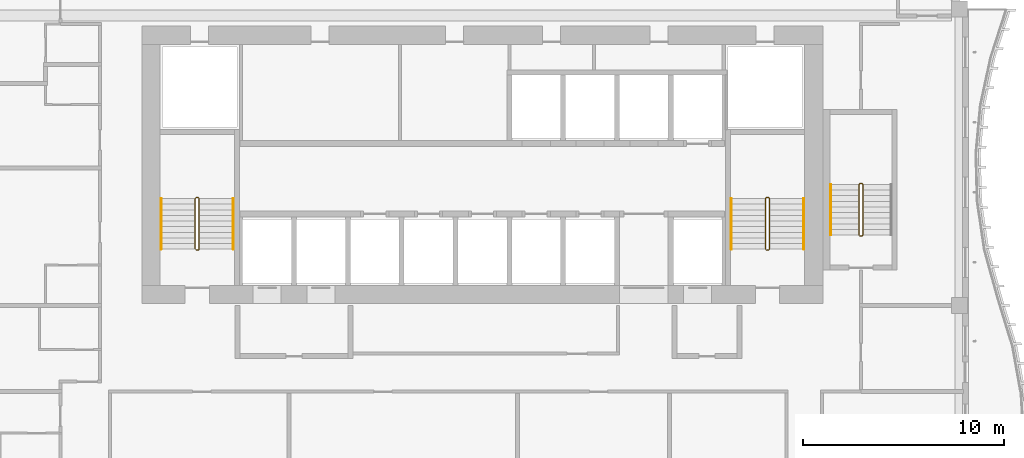
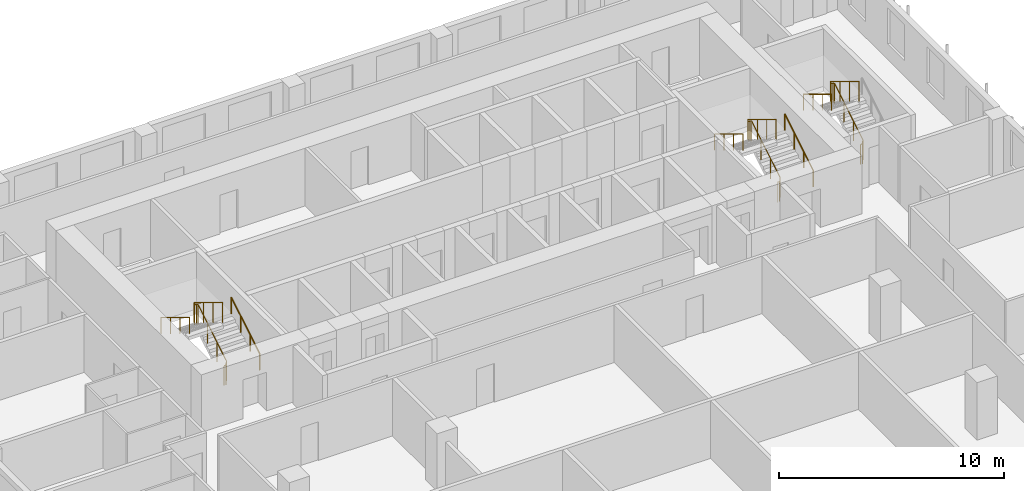
# One storey, part 22 of 23: 8 railings.
"""IFC4 building model written with IfcOpenShell, lengths in metres."""

from ifc_helpers import new_model, si_unit, direction, frame, origin, origin_2d, place, context, subcontext, project, spatial, circle, extrude, material, type_object, element, save


model = new_model("IFC4")

# Units and contexts
model_context = context("Model", 3, precision=1e-05, world=origin(), true_north=direction((0.0, 1.0)))
body_context = subcontext(model_context, "Body", "Model", "MODEL_VIEW")
ifc_project = project(units=[si_unit("LENGTHUNIT", "METRE"), si_unit("AREAUNIT", "SQUARE_METRE"), si_unit("VOLUMEUNIT", "CUBIC_METRE"), si_unit("PLANEANGLEUNIT", "RADIAN"), si_unit("MASSUNIT", "GRAM", prefix="KILO")], contexts=[model_context])

# Site, building, storey
site_placement = place(None, origin())
site = spatial("IfcSite", under=ifc_project, at=site_placement, CompositionType="ELEMENT")
building_placement = place(site_placement, origin())
building = spatial("IfcBuilding", under=site, at=building_placement, Name="Kilnfold Tower and Market Hall", CompositionType="ELEMENT")
storey_placement = place(building_placement, frame((0.0, 0.0, 178.699951171875)))
storey = spatial("IfcBuildingStorey", under=building, at=storey_placement, Name="L42", CompositionType="ELEMENT", Elevation=178.699951171875)

# Railings
ifc_material_1 = material(Name="Stainless steel 316", Category="steel")
railing_type_1 = type_object("IfcRailingType", Name="CORE STAIR GUARD 1100", PredefinedType="GUARDRAIL", material=ifc_material_1)
railing_1_placement = place(storey_placement, frame((-13.199951171875, 10.75, 0.0)))
element("IfcRailing", 1, at=railing_1_placement, inside=storey, type_object=railing_type_1, Name="L42 ST1 stair guard 1", PredefinedType="GUARDRAIL", context=body_context, shape_type="SweptSolid", body=[
    extrude(circle(Radius=0.02392578125, at=origin_2d()), frame((0.0, 0.0, 1.076171875), z_axis=(1.0, 0.0, 0.0), x_axis=(0.0, 1.0, 0.0)), (0.0, 0.0, 1.0), 0.099853515625),
    extrude(circle(Radius=0.02392578125, at=origin_2d()), frame((0.099853515625, 0.0, 1.076171875), z_axis=(0.271562723297, 0.271562723297, 0.923313259209), x_axis=(-0.707106781187, 0.707106781187, 0.0)), (0.0, 0.0, 1.0), 0.184326171875),
    extrude(circle(Radius=0.02392578125, at=origin_2d()), frame((0.14990234375, 0.050048828125, 1.24609375), z_axis=(0.0, 0.854821627497, 0.518921945155), x_axis=(-1.0, 0.0, 0.0)), (0.0, 0.0, 1.0), 2.947998046875),
    extrude(circle(Radius=0.02392578125, at=origin_2d()), frame((0.14990234375, 2.570068359375, 2.77587890625), z_axis=(-0.707106781187, 0.707106781187, 0.0), x_axis=(-0.707106781187, -0.707106781187, 0.0)), (0.0, 0.0, 1.0), 0.07080078125),
    extrude(circle(Radius=0.02392578125, at=origin_2d()), frame((0.099853515625, 2.6201171875, 2.77587890625), z_axis=(-1.0, 0.0, 0.0), x_axis=(0.0, -1.0, 0.0)), (0.0, 0.0, 1.0), 0.099853515625),
    extrude(circle(Radius=0.02392578125, at=origin_2d()), frame((0.0, 2.6201171875, 2.77587890625), z_axis=(-0.271562723297, -0.271562723297, 0.923313259209), x_axis=(0.707106781187, -0.707106781187, 0.0)), (0.0, 0.0, 1.0), 0.184326171875),
    extrude(circle(Radius=0.02392578125, at=origin_2d()), frame((-0.050048828125, 2.570068359375, 2.9462890625), z_axis=(0.0, -0.85478489116, 0.518982456201), x_axis=(1.0, 0.0, 0.0)), (0.0, 0.0, 1.0), 2.9482421875),
    extrude(circle(Radius=0.02099609375, at=origin_2d()), origin(), (0.0, 0.0, 1.0), 1.052001953125),
    extrude(circle(Radius=0.02099609375, at=origin_2d()), frame((0.099853515625, 0.0, 0.0)), (0.0, 0.0, 1.0), 1.052001953125),
    extrude(circle(Radius=0.02099609375, at=origin_2d()), frame((0.14990234375, 0.050048828125, 0.170166015625)), (0.0, 0.0, 1.0), 1.052001953125),
    extrude(circle(Radius=0.02099609375, at=origin_2d()), frame((0.14990234375, 0.89013671875, 0.68017578125)), (0.0, 0.0, 1.0), 1.052001953125),
    extrude(circle(Radius=0.02099609375, at=origin_2d()), frame((0.14990234375, 1.72998046875, 1.18994140625)), (0.0, 0.0, 1.0), 1.052001953125),
    extrude(circle(Radius=0.02099609375, at=origin_2d()), frame((0.14990234375, 2.570068359375, 1.699951171875)), (0.0, 0.0, 1.0), 1.052001953125),
    extrude(circle(Radius=0.02099609375, at=origin_2d()), frame((0.099853515625, 2.6201171875, 1.699951171875)), (0.0, 0.0, 1.0), 1.052001953125),
    extrude(circle(Radius=0.02099609375, at=origin_2d()), frame((0.0, 2.6201171875, 1.699951171875)), (0.0, 0.0, 1.0), 1.052001953125),
    extrude(circle(Radius=0.02099609375, at=origin_2d()), frame((-0.050048828125, 2.570068359375, 1.8701171875)), (0.0, 0.0, 1.0), 1.052001953125),
    extrude(circle(Radius=0.02099609375, at=origin_2d()), frame((-0.050048828125, 1.72998046875, 2.380126953125)), (0.0, 0.0, 1.0), 1.052001953125),
    extrude(circle(Radius=0.02099609375, at=origin_2d()), frame((-0.050048828125, 0.89013671875, 2.89013671875)), (0.0, 0.0, 1.0), 1.052001953125),
    extrude(circle(Radius=0.02099609375, at=origin_2d()), frame((-0.050048828125, 0.050048828125, 3.400146484375)), (0.0, 0.0, 1.0), 1.052001953125),
])
railing_2_placement = place(storey_placement, frame((15.199951171875, 10.75, 0.0)))
element("IfcRailing", 2, at=railing_2_placement, inside=storey, type_object=railing_type_1, Name="L42 ST2 stair guard 1", PredefinedType="GUARDRAIL", context=body_context, shape_type="SweptSolid", body=[
    extrude(circle(Radius=0.02392578125, at=origin_2d()), frame((0.0, 0.0, 1.076171875), z_axis=(1.0, 0.0, 0.0), x_axis=(0.0, 1.0, 0.0)), (0.0, 0.0, 1.0), 0.10009765625),
    extrude(circle(Radius=0.02392578125, at=origin_2d()), frame((0.10009765625, 0.0, 1.076171875), z_axis=(0.271562723297, 0.271562723297, 0.923313259209), x_axis=(-0.707106781187, 0.707106781187, 0.0)), (0.0, 0.0, 1.0), 0.184326171875),
    extrude(circle(Radius=0.02392578125, at=origin_2d()), frame((0.150146484375, 0.050048828125, 1.24609375), z_axis=(0.0, 0.854821627497, 0.518921945155), x_axis=(-1.0, 0.0, 0.0)), (0.0, 0.0, 1.0), 2.947998046875),
    extrude(circle(Radius=0.02392578125, at=origin_2d()), frame((0.150146484375, 2.570068359375, 2.77587890625), z_axis=(-0.707106781187, 0.707106781187, 0.0), x_axis=(-0.707106781187, -0.707106781187, 0.0)), (0.0, 0.0, 1.0), 0.07080078125),
    extrude(circle(Radius=0.02392578125, at=origin_2d()), frame((0.10009765625, 2.6201171875, 2.77587890625), z_axis=(-1.0, 0.0, 0.0), x_axis=(0.0, -1.0, 0.0)), (0.0, 0.0, 1.0), 0.10009765625),
    extrude(circle(Radius=0.02392578125, at=origin_2d()), frame((0.0, 2.6201171875, 2.77587890625), z_axis=(-0.271562723297, -0.271562723297, 0.923313259209), x_axis=(0.707106781187, -0.707106781187, 0.0)), (0.0, 0.0, 1.0), 0.184326171875),
    extrude(circle(Radius=0.02392578125, at=origin_2d()), frame((-0.050048828125, 2.570068359375, 2.9462890625), z_axis=(0.0, -0.85478489116, 0.518982456201), x_axis=(1.0, 0.0, 0.0)), (0.0, 0.0, 1.0), 2.9482421875),
    extrude(circle(Radius=0.02099609375, at=origin_2d()), origin(), (0.0, 0.0, 1.0), 1.052001953125),
    extrude(circle(Radius=0.02099609375, at=origin_2d()), frame((0.10009765625, 0.0, 0.0)), (0.0, 0.0, 1.0), 1.052001953125),
    extrude(circle(Radius=0.02099609375, at=origin_2d()), frame((0.150146484375, 0.050048828125, 0.170166015625)), (0.0, 0.0, 1.0), 1.052001953125),
    extrude(circle(Radius=0.02099609375, at=origin_2d()), frame((0.150146484375, 0.89013671875, 0.68017578125)), (0.0, 0.0, 1.0), 1.052001953125),
    extrude(circle(Radius=0.02099609375, at=origin_2d()), frame((0.150146484375, 1.72998046875, 1.18994140625)), (0.0, 0.0, 1.0), 1.052001953125),
    extrude(circle(Radius=0.02099609375, at=origin_2d()), frame((0.150146484375, 2.570068359375, 1.699951171875)), (0.0, 0.0, 1.0), 1.052001953125),
    extrude(circle(Radius=0.02099609375, at=origin_2d()), frame((0.10009765625, 2.6201171875, 1.699951171875)), (0.0, 0.0, 1.0), 1.052001953125),
    extrude(circle(Radius=0.02099609375, at=origin_2d()), frame((0.0, 2.6201171875, 1.699951171875)), (0.0, 0.0, 1.0), 1.052001953125),
    extrude(circle(Radius=0.02099609375, at=origin_2d()), frame((-0.050048828125, 2.570068359375, 1.8701171875)), (0.0, 0.0, 1.0), 1.052001953125),
    extrude(circle(Radius=0.02099609375, at=origin_2d()), frame((-0.050048828125, 1.72998046875, 2.380126953125)), (0.0, 0.0, 1.0), 1.052001953125),
    extrude(circle(Radius=0.02099609375, at=origin_2d()), frame((-0.050048828125, 0.89013671875, 2.89013671875)), (0.0, 0.0, 1.0), 1.052001953125),
    extrude(circle(Radius=0.02099609375, at=origin_2d()), frame((-0.050048828125, 0.050048828125, 3.400146484375)), (0.0, 0.0, 1.0), 1.052001953125),
])
railing_3_placement = place(storey_placement, frame((19.85009765625, 11.449951171875, 0.0)))
element("IfcRailing", 3, at=railing_3_placement, inside=storey, type_object=railing_type_1, Name="L42 ST5 stair guard 1", PredefinedType="GUARDRAIL", context=body_context, shape_type="SweptSolid", body=[
    extrude(circle(Radius=0.02392578125, at=origin_2d()), frame((0.0, 0.0, 1.076171875), z_axis=(1.0, 0.0, 0.0), x_axis=(0.0, 1.0, 0.0)), (0.0, 0.0, 1.0), 0.099853515625),
    extrude(circle(Radius=0.02392578125, at=origin_2d()), frame((0.099853515625, 0.0, 1.076171875), z_axis=(0.271562723297, 0.271562723297, 0.923313259209), x_axis=(-0.707106781187, 0.707106781187, 0.0)), (0.0, 0.0, 1.0), 0.184326171875),
    extrude(circle(Radius=0.02392578125, at=origin_2d()), frame((0.14990234375, 0.050048828125, 1.24609375), z_axis=(0.0, 0.854821627497, 0.518921945155), x_axis=(-1.0, 0.0, 0.0)), (0.0, 0.0, 1.0), 2.947998046875),
    extrude(circle(Radius=0.02392578125, at=origin_2d()), frame((0.14990234375, 2.570068359375, 2.77587890625), z_axis=(-0.707106781187, 0.707106781187, 0.0), x_axis=(-0.707106781187, -0.707106781187, 0.0)), (0.0, 0.0, 1.0), 0.07080078125),
    extrude(circle(Radius=0.02392578125, at=origin_2d()), frame((0.099853515625, 2.6201171875, 2.77587890625), z_axis=(-1.0, 0.0, 0.0), x_axis=(0.0, -1.0, 0.0)), (0.0, 0.0, 1.0), 0.099853515625),
    extrude(circle(Radius=0.02392578125, at=origin_2d()), frame((0.0, 2.6201171875, 2.77587890625), z_axis=(-0.271562723297, -0.271562723297, 0.923313259209), x_axis=(0.707106781187, -0.707106781187, 0.0)), (0.0, 0.0, 1.0), 0.184326171875),
    extrude(circle(Radius=0.02392578125, at=origin_2d()), frame((-0.050048828125, 2.570068359375, 2.9462890625), z_axis=(0.0, -0.85478489116, 0.518982456201), x_axis=(1.0, 0.0, 0.0)), (0.0, 0.0, 1.0), 2.9482421875),
    extrude(circle(Radius=0.02099609375, at=origin_2d()), origin(), (0.0, 0.0, 1.0), 1.052001953125),
    extrude(circle(Radius=0.02099609375, at=origin_2d()), frame((0.099853515625, 0.0, 0.0)), (0.0, 0.0, 1.0), 1.052001953125),
    extrude(circle(Radius=0.02099609375, at=origin_2d()), frame((0.14990234375, 0.050048828125, 0.170166015625)), (0.0, 0.0, 1.0), 1.052001953125),
    extrude(circle(Radius=0.02099609375, at=origin_2d()), frame((0.14990234375, 0.89013671875, 0.68017578125)), (0.0, 0.0, 1.0), 1.052001953125),
    extrude(circle(Radius=0.02099609375, at=origin_2d()), frame((0.14990234375, 1.72998046875, 1.18994140625)), (0.0, 0.0, 1.0), 1.052001953125),
    extrude(circle(Radius=0.02099609375, at=origin_2d()), frame((0.14990234375, 2.570068359375, 1.699951171875)), (0.0, 0.0, 1.0), 1.052001953125),
    extrude(circle(Radius=0.02099609375, at=origin_2d()), frame((0.099853515625, 2.6201171875, 1.699951171875)), (0.0, 0.0, 1.0), 1.052001953125),
    extrude(circle(Radius=0.02099609375, at=origin_2d()), frame((0.0, 2.6201171875, 1.699951171875)), (0.0, 0.0, 1.0), 1.052001953125),
    extrude(circle(Radius=0.02099609375, at=origin_2d()), frame((-0.050048828125, 2.570068359375, 1.8701171875)), (0.0, 0.0, 1.0), 1.052001953125),
    extrude(circle(Radius=0.02099609375, at=origin_2d()), frame((-0.050048828125, 1.72998046875, 2.380126953125)), (0.0, 0.0, 1.0), 1.052001953125),
    extrude(circle(Radius=0.02099609375, at=origin_2d()), frame((-0.050048828125, 0.89013671875, 2.89013671875)), (0.0, 0.0, 1.0), 1.052001953125),
    extrude(circle(Radius=0.02099609375, at=origin_2d()), frame((-0.050048828125, 0.050048828125, 3.400146484375)), (0.0, 0.0, 1.0), 1.052001953125),
])
ifc_material_2 = material(Name="Stainless steel 316", Category="steel")
railing_type_2 = type_object("IfcRailingType", Name="CORE STAIR HANDRAIL 900", PredefinedType="HANDRAIL", material=ifc_material_2)
railing_4_placement = place(storey_placement, frame((-11.35009765625, 10.800048828125, 0.170166015625)))
element("IfcRailing", 4, at=railing_4_placement, inside=storey, type_object=railing_type_2, Name="L42 ST1 stair handrail 1", PredefinedType="HANDRAIL", context=body_context, shape_type="SweptSolid", body=[
    extrude(circle(Radius=0.02392578125, at=origin_2d()), frame((0.0, 0.0, 0.8759765625), z_axis=(0.0, 0.854821627497, 0.518921945155), x_axis=(-1.0, 0.0, 0.0)), (0.0, 0.0, 1.0), 2.947998046875),
    extrude(circle(Radius=0.02099609375, at=origin_2d()), origin(), (0.0, 0.0, 1.0), 0.851806640625),
    extrude(circle(Radius=0.02099609375, at=origin_2d()), frame((0.0, 0.840087890625, 0.510009765625)), (0.0, 0.0, 1.0), 0.851806640625),
    extrude(circle(Radius=0.02099609375, at=origin_2d()), frame((0.0, 1.679931640625, 1.019775390625)), (0.0, 0.0, 1.0), 0.851806640625),
    extrude(circle(Radius=0.02099609375, at=origin_2d()), frame((0.0, 2.52001953125, 1.52978515625)), (0.0, 0.0, 1.0), 0.851806640625),
])
railing_5_placement = place(storey_placement, frame((-14.949951171875, 13.320068359375, 1.8701171875)))
element("IfcRailing", 5, at=railing_5_placement, inside=storey, type_object=railing_type_2, Name="L42 ST1 stair handrail 2", PredefinedType="HANDRAIL", context=body_context, shape_type="SweptSolid", body=[
    extrude(circle(Radius=0.02392578125, at=origin_2d()), frame((0.0, 0.0, 0.8759765625), z_axis=(0.0, -0.85478489116, 0.518982456201), x_axis=(1.0, 0.0, 0.0)), (0.0, 0.0, 1.0), 2.9482421875),
    extrude(circle(Radius=0.02099609375, at=origin_2d()), origin(), (0.0, 0.0, 1.0), 0.851806640625),
    extrude(circle(Radius=0.02099609375, at=origin_2d()), frame((0.0, -0.840087890625, 0.510009765625)), (0.0, 0.0, 1.0), 0.851806640625),
    extrude(circle(Radius=0.02099609375, at=origin_2d()), frame((0.0, -1.679931640625, 1.02001953125)), (0.0, 0.0, 1.0), 0.851806640625),
    extrude(circle(Radius=0.02099609375, at=origin_2d()), frame((0.0, -2.52001953125, 1.530029296875)), (0.0, 0.0, 1.0), 0.851806640625),
])
railing_6_placement = place(storey_placement, frame((17.050048828125, 10.800048828125, 0.170166015625)))
element("IfcRailing", 6, at=railing_6_placement, inside=storey, type_object=railing_type_2, Name="L42 ST2 stair handrail 1", PredefinedType="HANDRAIL", context=body_context, shape_type="SweptSolid", body=[
    extrude(circle(Radius=0.02392578125, at=origin_2d()), frame((0.0, 0.0, 0.8759765625), z_axis=(0.0, 0.854821627497, 0.518921945155), x_axis=(-1.0, 0.0, 0.0)), (0.0, 0.0, 1.0), 2.947998046875),
    extrude(circle(Radius=0.02099609375, at=origin_2d()), origin(), (0.0, 0.0, 1.0), 0.851806640625),
    extrude(circle(Radius=0.02099609375, at=origin_2d()), frame((0.0, 0.840087890625, 0.510009765625)), (0.0, 0.0, 1.0), 0.851806640625),
    extrude(circle(Radius=0.02099609375, at=origin_2d()), frame((0.0, 1.679931640625, 1.019775390625)), (0.0, 0.0, 1.0), 0.851806640625),
    extrude(circle(Radius=0.02099609375, at=origin_2d()), frame((0.0, 2.52001953125, 1.52978515625)), (0.0, 0.0, 1.0), 0.851806640625),
])
for number, where, name in (
    (7, (13.449951171875, 13.320068359375, 1.8701171875), "L42 ST2 stair handrail 2"),
    (8, (18.39990234375, 14.02001953125, 1.8701171875), "L42 ST5 stair handrail 2"),
):
    element("IfcRailing", number, at=place(storey_placement, frame(where)), inside=storey, type_object=railing_type_2, Name=name, PredefinedType="HANDRAIL", context=body_context, shape_type="SweptSolid", body=[
        extrude(circle(Radius=0.02392578125, at=origin_2d()), frame((0.0, 0.0, 0.8759765625), z_axis=(0.0, -0.85478489116, 0.518982456201), x_axis=(1.0, 0.0, 0.0)), (0.0, 0.0, 1.0), 2.9482421875),
        extrude(circle(Radius=0.02099609375, at=origin_2d()), origin(), (0.0, 0.0, 1.0), 0.851806640625),
        extrude(circle(Radius=0.02099609375, at=origin_2d()), frame((0.0, -0.840087890625, 0.510009765625)), (0.0, 0.0, 1.0), 0.851806640625),
        extrude(circle(Radius=0.02099609375, at=origin_2d()), frame((0.0, -1.679931640625, 1.02001953125)), (0.0, 0.0, 1.0), 0.851806640625),
        extrude(circle(Radius=0.02099609375, at=origin_2d()), frame((0.0, -2.52001953125, 1.530029296875)), (0.0, 0.0, 1.0), 0.851806640625),
    ])

save(model, "model.ifc")
